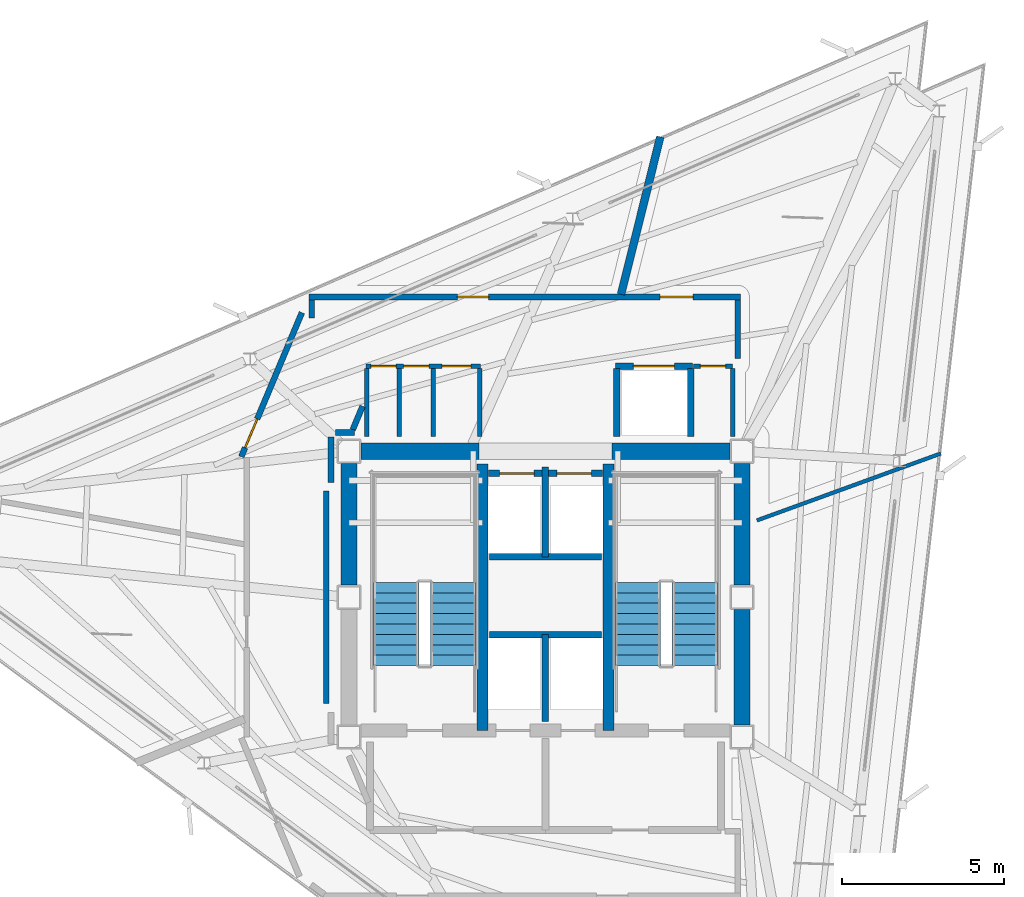
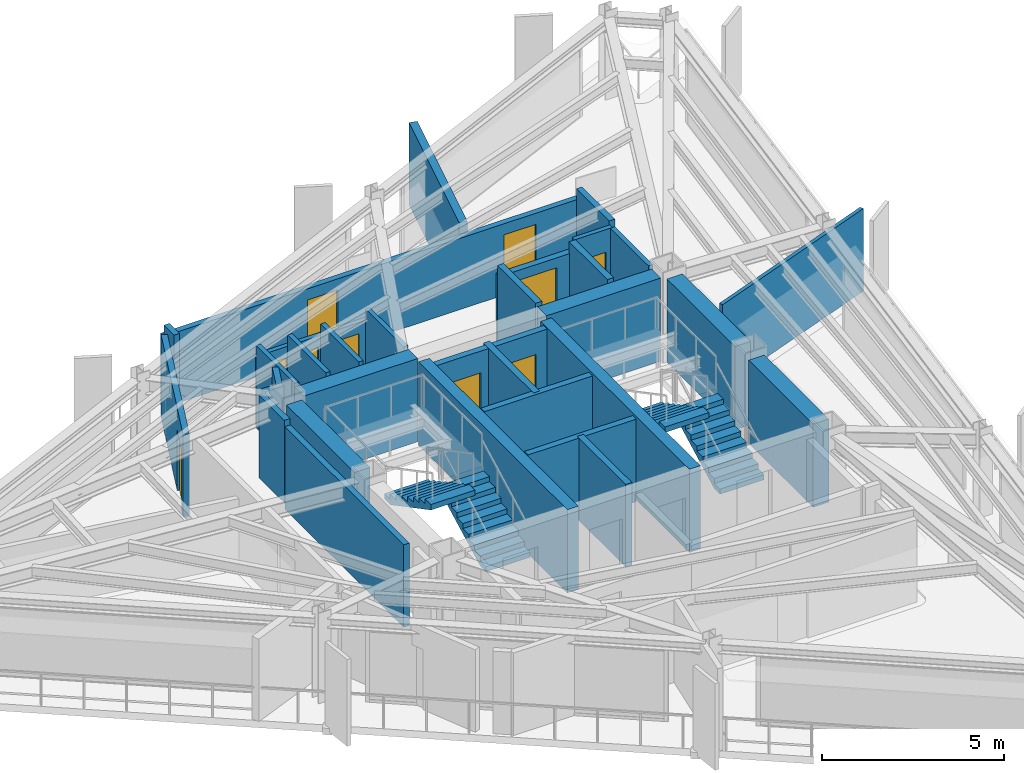
# One storey, part 6 of 10: 32 walls, 10 doors, 4 stair flights, 10 openings, 2 elements without a shape of their own.
"""IFC4 building model written with IfcOpenShell, lengths in metres."""

from ifc_helpers import new_model, si_unit, direction, frame, frame_2d, origin, place, context, subcontext, project, spatial, polyline, rectangle, outline, extrude, material, layer, layer_set, type_object, element, fill, aggregate, save


model = new_model("IFC4")

# Units and contexts
model_context = context("Model", 3, precision=1e-05, world=origin(), true_north=direction((0.0, 1.0)))
body_context = subcontext(model_context, "Body", "Model", "MODEL_VIEW")
ifc_project = project(units=[si_unit("LENGTHUNIT", "METRE"), si_unit("AREAUNIT", "SQUARE_METRE"), si_unit("VOLUMEUNIT", "CUBIC_METRE"), si_unit("PLANEANGLEUNIT", "RADIAN"), si_unit("MASSUNIT", "GRAM", prefix="KILO")], contexts=[model_context])

# Site, building, storey
site_placement = place(None, origin())
site = spatial("IfcSite", under=ifc_project, at=site_placement, CompositionType="ELEMENT")
building_placement = place(site_placement, origin())
building = spatial("IfcBuilding", under=site, at=building_placement, Name="Rocaltana Carrier Exchange", CompositionType="ELEMENT")
storey_placement = place(building_placement, frame((0.0, 0.0, 220.9599609375)))
storey = spatial("IfcBuildingStorey", under=building, at=storey_placement, Name="L70", CompositionType="ELEMENT", Elevation=220.9599609375)

# Walls
ifc_material_1 = material(Name="Concrete C50/60", Category="concrete")
ifc_layer_1 = layer(ifc_material_1, 0.35009765625)
ifc_layer_set_1 = layer_set([ifc_layer_1], Name="Concrete C50/60")
wall_type_1 = type_object("IfcWallType", Name="Core Internal Shear Wall 350", PredefinedType="SHEAR", material=ifc_layer_set_1)
for number, where, z_axis, x_axis, name in (
    (1, (-1.93994140625, -4.10009765625, 0.0), (0.0, 0.0, 1.0), (0.0, 1.0, 0.0), "L70 Core Shear Wall CW-STW"),
    (2, (1.93994140625, -4.10009765625, 0.0), (0.0, 0.0, 1.0), (0.0, 1.0, 0.0), "L70 Core Shear Wall CW-STE"),
):
    element("IfcWall", number, at=place(storey_placement, frame(where, z_axis=z_axis, x_axis=x_axis)), inside=storey, type_object=wall_type_1, Name=name, PredefinedType="SHEAR", context=body_context, shape_type="SweptSolid", body=[
        extrude(rectangle(XDim=8.2001953125, YDim=0.35009765625, at=frame_2d((4.10009765625, 0.0))), origin(), (0.0, 0.0, 1.0), 2.798095703125),
    ])
ifc_material_2 = material(Name="Concrete C50/60", Category="concrete")
ifc_layer_2 = layer(ifc_material_2, 0.5)
ifc_layer_set_2 = layer_set([ifc_layer_2], Name="Concrete C50/60")
wall_type_2 = type_object("IfcWallType", Name="Core Shear Wall 500", PredefinedType="SHEAR", material=ifc_layer_set_2)
for number, where, z_axis, x_axis, name in (
    (3, (-6.050048828125, 0.375, 0.0), (0.0, 0.0, 1.0), (0.0, 1.0, 0.0), "L70 Core Shear Wall CW-WN"),
    (4, (6.050048828125, 0.375, 0.0), (0.0, 0.0, 1.0), (0.0, 1.0, 0.0), "L70 Core Shear Wall CW-EN"),
):
    element("IfcWall", number, at=place(storey_placement, frame(where, z_axis=z_axis, x_axis=x_axis)), inside=storey, type_object=wall_type_2, Name=name, PredefinedType="SHEAR", context=body_context, shape_type="SweptSolid", body=[
        extrude(rectangle(XDim=3.75, YDim=0.5, at=frame_2d((1.875, 0.0))), origin(), (0.0, 0.0, 1.0), 2.798095703125),
    ])
wall_1_placement = place(storey_placement, frame((6.050048828125, -3.925048828125, 0.0), z_axis=(0.0, 0.0, 1.0), x_axis=(0.0, 1.0, 0.0)))
element("IfcWall", 5, at=wall_1_placement, inside=storey, type_object=wall_type_2, Name="L70 Core Shear Wall CW-ES", PredefinedType="SHEAR", context=body_context, shape_type="SweptSolid", body=[
    extrude(rectangle(XDim=3.550048828125, YDim=0.5, at=frame_2d((1.77490234375, 0.0))), origin(), (0.0, 0.0, 1.0), 2.798095703125),
])
for number, where, z_axis, x_axis, name in (
    (6, (-5.675048828125, 4.5, 0.0), (0.0, 0.0, 1.0), (1.0, 0.0, 0.0), "L70 Core Shear Wall CW-N1"),
    (7, (2.050048828125, 4.5, 0.0), (0.0, 0.0, 1.0), (1.0, 0.0, 0.0), "L70 Core Shear Wall CW-N2"),
):
    element("IfcWall", number, at=place(storey_placement, frame(where, z_axis=z_axis, x_axis=x_axis)), inside=storey, type_object=wall_type_2, Name=name, PredefinedType="SHEAR", context=body_context, shape_type="SweptSolid", body=[
        extrude(rectangle(XDim=3.625, YDim=0.5, at=frame_2d((1.8125, 0.0))), origin(), (0.0, 0.0, 1.0), 2.798095703125),
    ])

# Wall, opening, door
ifc_material_3 = material(Name="Gypsum & Steel Stud Partition", Category="steel")
ifc_layer_3 = layer(ifc_material_3, 0.179931640625)
ifc_layer_set_3 = layer_set([ifc_layer_3], Name="Gypsum & Steel Stud Partition")
wall_type_3 = type_object("IfcWallType", Name="Corridor Fire Partition 180 EI60", PredefinedType="PARTITIONING", material=ifc_layer_set_3)
wall_2_placement = place(storey_placement, frame((-9.36669921875, 4.331787109375, 0.0), z_axis=(0.0, 0.0, 1.0), x_axis=(0.387573945081, 0.921838617706, 0.0)))
wall_2 = element("IfcWall", 8, at=wall_2_placement, inside=storey, type_object=wall_type_3, Name="L70 Corridor Partition 3", PredefinedType="PARTITIONING", context=body_context, shape_type="SweptSolid", body=[
    extrude(rectangle(XDim=4.813232421875, YDim=0.179931640625, at=frame_2d((2.40673828125, 0.0))), origin(), (0.0, 0.0, 1.0), 2.77294921875),
])
opening_1_placement = place(wall_2_placement, frame((0.302490234375, 0.0, 0.0)))
opening_1 = element("IfcOpeningElement", 9, at=opening_1_placement, cuts=wall_2, Name="Opening D-RM098", PredefinedType="OPENING", context=body_context, shape_type="SweptSolid", body=[
    extrude(rectangle(XDim=0.9599609375, YDim=2.02001953125, at=frame_2d((0.47998046875, 1.010009765625))), frame((0.0, 0.099853515625, 0.0), z_axis=(0.0, -1.0, 0.0), x_axis=(1.0, 0.0, 0.0)), (0.0, 0.0, 1.0), 0.199951171875),
])
ifc_material_4 = material(Name="Engineered Hardwood Timber", Category="wood")
door_type_1 = type_object("IfcDoorType", Name="Workspace Single Door 960x2020", OperationType="NOTDEFINED", PredefinedType="DOOR", material=ifc_material_4)
door_1_placement = place(opening_1_placement, origin())
door_1 = element("IfcDoor", 10, at=door_1_placement, inside=storey, type_object=door_type_1, Name="L70 Quiet Focus Lounge Entrance Door", OperationType="SINGLE_SWING_LEFT", OverallHeight=2.02001953125, OverallWidth=0.9599609375, PredefinedType="DOOR", context=body_context, shape_type="SweptSolid", body=[
    extrude(rectangle(XDim=0.9599609375, YDim=2.02001953125, at=frame_2d((0.47998046875, 1.010009765625))), frame((0.0, 0.02490234375, 0.0), z_axis=(0.0, -1.0, 0.0), x_axis=(1.0, 0.0, 0.0)), (0.0, 0.0, 1.0), 0.050048828125),
])
fill(opening_1, door_1)

# Wall
wall_3_placement = place(storey_placement, frame((-7.199951171875, 8.6005859375, 0.0), z_axis=(0.0, 0.0, 1.0), x_axis=(0.0, 1.0, 0.0)))
element("IfcWall", 11, at=wall_3_placement, inside=storey, type_object=wall_type_3, Name="L70 Corridor Partition 4", PredefinedType="PARTITIONING", context=body_context, shape_type="SweptSolid", body=[
    extrude(rectangle(XDim=0.559326171875, YDim=0.179931640625, at=frame_2d((0.27978515625, 0.0))), origin(), (0.0, 0.0, 1.0), 2.77294921875),
])

# Wall, openings, doors
wall_4_placement = place(storey_placement, frame((-7.2900390625, 9.25, 0.0), z_axis=(0.0, 0.0, 1.0), x_axis=(1.0, 0.0, 0.0)))
wall_4 = element("IfcWall", 12, at=wall_4_placement, inside=storey, type_object=wall_type_3, Name="L70 Corridor Partition 5", PredefinedType="PARTITIONING", context=body_context, shape_type="SweptSolid", body=[
    extrude(rectangle(XDim=13.300048828125, YDim=0.179931640625, at=frame_2d((6.64990234375, 0.0))), origin(), (0.0, 0.0, 1.0), 2.39501953125),
])
opening_2_placement = place(wall_4_placement, frame((10.819091796875, 0.0, 0.0)))
opening_2 = element("IfcOpeningElement", 13, at=opening_2_placement, cuts=wall_4, Name="Opening D-LB104", PredefinedType="OPENING", context=body_context, shape_type="SweptSolid", body=[
    extrude(rectangle(XDim=1.02001953125, YDim=2.02001953125, at=frame_2d((0.510009765625, 1.010009765625))), frame((0.0, 0.099853515625, 0.0), z_axis=(0.0, -1.0, 0.0), x_axis=(1.0, 0.0, 0.0)), (0.0, 0.0, 1.0), 0.199951171875),
])
opening_3_placement = place(wall_4_placement, frame((4.5751953125, 0.0, 0.0)))
opening_3 = element("IfcOpeningElement", 14, at=opening_3_placement, cuts=wall_4, Name="Opening D-RM098", PredefinedType="OPENING", context=body_context, shape_type="SweptSolid", body=[
    extrude(rectangle(XDim=0.9599609375, YDim=2.02001953125, at=frame_2d((0.47998046875, 1.010009765625))), frame((0.0, 0.099853515625, 0.0), z_axis=(0.0, -1.0, 0.0), x_axis=(1.0, 0.0, 0.0)), (0.0, 0.0, 1.0), 0.199951171875),
])
ifc_material_5 = material(Name="Powder-Coated Aluminium 6063-T6", Category="aluminium")
door_type_2 = type_object("IfcDoorType", Name="Laboratory Acoustic Door 1020x2020", OperationType="NOTDEFINED", PredefinedType="DOOR", material=ifc_material_5)
door_2_placement = place(opening_2_placement, origin())
door_2 = element("IfcDoor", 15, at=door_2_placement, inside=storey, type_object=door_type_2, Name="L70 Protocol Calibration Laboratory Entrance Door", OperationType="SINGLE_SWING_LEFT", OverallHeight=2.02001953125, OverallWidth=1.02001953125, PredefinedType="DOOR", context=body_context, shape_type="SweptSolid", body=[
    extrude(rectangle(XDim=1.02001953125, YDim=2.02001953125, at=frame_2d((0.510009765625, 1.010009765625))), frame((0.0, 0.02490234375, 0.0), z_axis=(0.0, -1.0, 0.0), x_axis=(1.0, 0.0, 0.0)), (0.0, 0.0, 1.0), 0.050048828125),
])
fill(opening_2, door_2)
door_3_placement = place(opening_3_placement, origin())
door_3 = element("IfcDoor", 16, at=door_3_placement, inside=storey, type_object=door_type_1, Name="L70 Network Engineering Studio Entrance Door", OperationType="SINGLE_SWING_RIGHT", OverallHeight=2.02001953125, OverallWidth=0.9599609375, PredefinedType="DOOR", context=body_context, shape_type="SweptSolid", body=[
    extrude(rectangle(XDim=0.9599609375, YDim=2.02001953125, at=frame_2d((0.47998046875, 1.010009765625))), frame((0.0, 0.02490234375, 0.0), z_axis=(0.0, -1.0, 0.0), x_axis=(1.0, 0.0, 0.0)), (0.0, 0.0, 1.0), 0.050048828125),
])
fill(opening_3, door_3)

# Walls
wall_5_placement = place(storey_placement, frame((5.919921875, 9.159912109375, 0.0), z_axis=(0.0, 0.0, 1.0), x_axis=(0.0, -1.0, 0.0)))
element("IfcWall", 17, at=wall_5_placement, inside=storey, type_object=wall_type_3, Name="L70 Corridor Partition 6", PredefinedType="PARTITIONING", context=body_context, shape_type="SweptSolid", body=[
    extrude(rectangle(XDim=1.7998046875, YDim=0.179931640625, at=frame_2d((0.89990234375, 0.0))), origin(), (0.0, 0.0, 1.0), 2.77294921875),
])
wall_6_placement = place(storey_placement, frame((-5.632080078125, 5.88671875, 0.0), z_axis=(0.0, 0.0, 1.0), x_axis=(-0.387792833522, -0.921746558588, 0.0)))
element("IfcWall", 18, at=wall_6_placement, inside=storey, type_object=wall_type_3, Name="L70 Corridor Partition 8", PredefinedType="PARTITIONING", context=body_context, shape_type="SweptSolid", body=[
    extrude(rectangle(XDim=0.78515625, YDim=0.179931640625, at=frame_2d((0.392578125, 0.0))), origin(), (0.0, 0.0, 1.0), 2.77294921875),
])
wall_7_placement = place(storey_placement, frame((-5.88134765625, 5.080078125, 0.0), z_axis=(0.0, 0.0, 1.0), x_axis=(-1.0, 0.0, 0.0)))
element("IfcWall", 19, at=wall_7_placement, inside=storey, type_object=wall_type_3, Name="L70 Corridor Partition 9", PredefinedType="PARTITIONING", context=body_context, shape_type="SweptSolid", body=[
    extrude(rectangle(XDim=0.588623046875, YDim=0.179931640625, at=frame_2d((0.29443359375, 0.0))), origin(), (0.0, 0.0, 1.0), 2.77294921875),
])
wall_8_placement = place(storey_placement, frame((-6.610107421875, 4.93994140625, 0.0), z_axis=(0.0, 0.0, 1.0), x_axis=(0.0, -1.0, 0.0)))
element("IfcWall", 20, at=wall_8_placement, inside=storey, type_object=wall_type_3, Name="L70 Corridor Partition 10", PredefinedType="PARTITIONING", context=body_context, shape_type="SweptSolid", body=[
    extrude(rectangle(XDim=1.398681640625, YDim=0.179931640625, at=frame_2d((0.69921875, 0.0))), origin(), (0.0, 0.0, 1.0), 2.77294921875),
])
wall_9_placement = place(storey_placement, frame((-6.75, 3.2734375, 0.0), z_axis=(0.0, 0.0, 1.0), x_axis=(0.0, -1.0, 0.0)))
element("IfcWall", 21, at=wall_9_placement, inside=storey, type_object=wall_type_3, Name="L70 Corridor Partition 11", PredefinedType="PARTITIONING", context=body_context, shape_type="SweptSolid", body=[
    extrude(rectangle(XDim=6.546875, YDim=0.179931640625, at=frame_2d((3.2734375, 0.0))), origin(), (0.0, 0.0, 1.0), 2.77294921875),
])
ifc_material_6 = material(Name="Aluminium 6063-T6 & Acoustic Glass", Category="aluminium")
ifc_layer_4 = layer(ifc_material_6, 0.114990234375)
ifc_layer_set_4 = layer_set([ifc_layer_4], Name="Aluminium 6063-T6 & Acoustic Glass")
wall_type_4 = type_object("IfcWallType", Name="Demountable Glazed Lab Partition 115", PredefinedType="MOVABLE", material=ifc_layer_set_4)
wall_10_placement = place(storey_placement, frame((6.510009765625, 2.369384765625, 0.0), z_axis=(0.0, 0.0, 1.0), x_axis=(0.939690503952, 0.342025959222, 0.0)))
element("IfcWall", 22, at=wall_10_placement, inside=storey, type_object=wall_type_4, Name="L70 Suite Divider Wall D3", PredefinedType="MOVABLE", context=body_context, shape_type="SweptSolid", body=[
    extrude(rectangle(XDim=6.028076171875, YDim=0.114990234375, at=frame_2d((3.01416015625, 0.0))), origin(), (0.0, 0.0, 1.0), 2.77294921875),
])
ifc_material_7 = material(Name="Acoustic Calcium Silicate Partition", Category="gypsum")
ifc_layer_5 = layer(ifc_material_7, 0.239990234375)
ifc_layer_set_5 = layer_set([ifc_layer_5], Name="Acoustic Calcium Silicate Partition")
wall_type_5 = type_object("IfcWallType", Name="Heavy Lab Partition 240 EI90", PredefinedType="PARTITIONING", material=ifc_layer_set_5)
wall_11_placement = place(storey_placement, frame((2.326171875, 9.330078125, 0.0), z_axis=(0.0, 0.0, 1.0), x_axis=(0.24192658113, 0.97029455803, 0.0)))
element("IfcWall", 23, at=wall_11_placement, inside=storey, type_object=wall_type_5, Name="L70 Suite Divider Wall D4", PredefinedType="PARTITIONING", context=body_context, shape_type="SweptSolid", body=[
    extrude(rectangle(XDim=4.999267578125, YDim=0.239990234375, at=frame_2d((2.49951171875, 0.0))), origin(), (0.0, 0.0, 1.0), 2.77294921875),
])
ifc_material_8 = material(Name="Reinforced Concrete Block C35/45", Category="concrete")
ifc_layer_6 = layer(ifc_material_8, 0.199951171875)
ifc_layer_set_6 = layer_set([ifc_layer_6], Name="Reinforced Concrete Block C35/45")
wall_type_6 = type_object("IfcWallType", Name="Lift Hoistway Enclosure Wall 200 EI120", PredefinedType="PARTITIONING", material=ifc_layer_set_6)
wall_12_placement = place(storey_placement, frame((0.0, -3.820068359375, 0.0), z_axis=(0.0, 0.0, 1.0), x_axis=(0.0, 1.0, 0.0)))
element("IfcWall", 24, at=wall_12_placement, inside=storey, type_object=wall_type_6, Name="L70 FFL Shaft Divider", PredefinedType="PARTITIONING", context=body_context, shape_type="SweptSolid", body=[
    extrude(rectangle(XDim=2.670166015625, YDim=0.199951171875, at=frame_2d((1.3349609375, 0.0))), origin(), (0.0, 0.0, 1.0), 2.77294921875),
])
wall_13_placement = place(storey_placement, frame((-1.719970703125, -1.14990234375, 0.0), z_axis=(0.0, 0.0, 1.0), x_axis=(1.0, 0.0, 0.0)))
element("IfcWall", 25, at=wall_13_placement, inside=storey, type_object=wall_type_6, Name="L70 FFL Shaft Back Wall", PredefinedType="PARTITIONING", context=body_context, shape_type="SweptSolid", body=[
    extrude(rectangle(XDim=3.43994140625, YDim=0.199951171875, at=frame_2d((1.719970703125, 0.0))), origin(), (0.0, 0.0, 1.0), 2.77294921875),
])
wall_14_placement = place(storey_placement, frame((0.0, 1.25, 0.0), z_axis=(0.0, 0.0, 1.0), x_axis=(0.0, 1.0, 0.0)))
element("IfcWall", 26, at=wall_14_placement, inside=storey, type_object=wall_type_6, Name="L70 High-Rise Shaft Divider", PredefinedType="PARTITIONING", context=body_context, shape_type="SweptSolid", body=[
    extrude(rectangle(XDim=2.77001953125, YDim=0.199951171875, at=frame_2d((1.385009765625, 0.0))), origin(), (0.0, 0.0, 1.0), 2.77294921875),
])
wall_15_placement = place(storey_placement, frame((-1.719970703125, 1.25, 0.0), z_axis=(0.0, 0.0, 1.0), x_axis=(1.0, 0.0, 0.0)))
element("IfcWall", 27, at=wall_15_placement, inside=storey, type_object=wall_type_6, Name="L70 High-Rise Shaft Back Wall", PredefinedType="PARTITIONING", context=body_context, shape_type="SweptSolid", body=[
    extrude(rectangle(XDim=3.43994140625, YDim=0.199951171875, at=frame_2d((1.719970703125, 0.0))), origin(), (0.0, 0.0, 1.0), 2.77294921875),
])

# Wall, openings, doors
wall_16_placement = place(storey_placement, frame((-1.760009765625, 3.820068359375, 0.0), z_axis=(0.0, 0.0, 1.0), x_axis=(1.0, 0.0, 0.0)))
wall_16 = element("IfcWall", 28, at=wall_16_placement, inside=storey, type_object=wall_type_6, Name="L70 High-Rise Lift Front Wall", PredefinedType="PARTITIONING", context=body_context, shape_type="SweptSolid", body=[
    extrude(rectangle(XDim=3.52001953125, YDim=0.199951171875, at=frame_2d((1.760009765625, 0.0))), origin(), (0.0, 0.0, 1.0), 2.77294921875),
])
opening_4_placement = place(wall_16_placement, frame((0.35009765625, 0.0, 0.0)))
opening_4 = element("IfcOpeningElement", 29, at=opening_4_placement, cuts=wall_16, Name="Opening LD-110", PredefinedType="OPENING", context=body_context, shape_type="SweptSolid", body=[
    extrude(rectangle(XDim=1.06005859375, YDim=2.0400390625, at=frame_2d((0.530029296875, 1.02001953125))), frame((0.0, 0.10986328125, 0.0), z_axis=(0.0, -1.0, 0.0), x_axis=(1.0, 0.0, 0.0)), (0.0, 0.0, 1.0), 0.219970703125),
])
opening_5_placement = place(wall_16_placement, frame((2.110107421875, 0.0, 0.0)))
opening_5 = element("IfcOpeningElement", 30, at=opening_5_placement, cuts=wall_16, Name="Opening LD-110", PredefinedType="OPENING", context=body_context, shape_type="SweptSolid", body=[
    extrude(rectangle(XDim=1.06005859375, YDim=2.0400390625, at=frame_2d((0.530029296875, 1.02001953125))), frame((0.0, 0.10986328125, 0.0), z_axis=(0.0, -1.0, 0.0), x_axis=(1.0, 0.0, 0.0)), (0.0, 0.0, 1.0), 0.219970703125),
])
ifc_material_9 = material(Name="Brushed Stainless Sliding Door Leaf", Category="steel")
door_type_3 = type_object("IfcDoorType", Name="Lift Landing Sliding Door 1060x2040", OperationType="NOTDEFINED", PredefinedType="DOOR", material=ifc_material_9)
door_4_placement = place(opening_4_placement, origin())
door_4 = element("IfcDoor", 31, at=door_4_placement, inside=storey, type_object=door_type_3, Name="L70 High-Rise Lift PLH1 Landing Door", OperationType="SLIDING_TO_LEFT", OverallHeight=2.0400390625, OverallWidth=1.06005859375, PredefinedType="DOOR", context=body_context, shape_type="SweptSolid", body=[
    extrude(rectangle(XDim=1.06005859375, YDim=2.0400390625, at=frame_2d((0.530029296875, 1.02001953125))), frame((0.0, 0.02490234375, 0.0), z_axis=(0.0, -1.0, 0.0), x_axis=(1.0, 0.0, 0.0)), (0.0, 0.0, 1.0), 0.050048828125),
])
fill(opening_4, door_4)
door_5_placement = place(opening_5_placement, origin())
door_5 = element("IfcDoor", 32, at=door_5_placement, inside=storey, type_object=door_type_3, Name="L70 High-Rise Lift PLH2 Landing Door", OperationType="SLIDING_TO_RIGHT", OverallHeight=2.0400390625, OverallWidth=1.06005859375, PredefinedType="DOOR", context=body_context, shape_type="SweptSolid", body=[
    extrude(rectangle(XDim=1.06005859375, YDim=2.0400390625, at=frame_2d((0.530029296875, 1.02001953125))), frame((0.0, 0.02490234375, 0.0), z_axis=(0.0, -1.0, 0.0), x_axis=(1.0, 0.0, 0.0)), (0.0, 0.0, 1.0), 0.050048828125),
])
fill(opening_5, door_5)

# Walls
for number, where, z_axis, x_axis, name in (
    (33, (2.199951171875, 4.949951171875, 0.0), (0.0, 0.0, 1.0), (0.0, 1.0, 0.0), "L70 Goods Lift West Wall"),
    (34, (4.47998046875, 4.949951171875, 0.0), (0.0, 0.0, 1.0), (0.0, 1.0, 0.0), "L70 Goods Lift East Wall"),
):
    element("IfcWall", number, at=place(storey_placement, frame(where, z_axis=z_axis, x_axis=x_axis)), inside=storey, type_object=wall_type_6, Name=name, PredefinedType="PARTITIONING", context=body_context, shape_type="SweptSolid", body=[
        extrude(rectangle(XDim=2.10009765625, YDim=0.199951171875, at=frame_2d((1.050048828125, 0.0))), origin(), (0.0, 0.0, 1.0), 2.77294921875),
    ])

# Wall, opening, door
wall_17_placement = place(storey_placement, frame((2.14990234375, 7.1201171875, 0.0), z_axis=(0.0, 0.0, 1.0), x_axis=(1.0, 0.0, 0.0)))
wall_17 = element("IfcWall", 35, at=wall_17_placement, inside=storey, type_object=wall_type_6, Name="L70 Goods Lift Front Wall", PredefinedType="PARTITIONING", context=body_context, shape_type="SweptSolid", body=[
    extrude(rectangle(XDim=2.380126953125, YDim=0.199951171875, at=frame_2d((1.18994140625, 0.0))), origin(), (0.0, 0.0, 1.0), 2.39501953125),
])
opening_6_placement = place(wall_17_placement, frame((0.56005859375, 0.0, 0.0)))
opening_6 = element("IfcOpeningElement", 36, at=opening_6_placement, cuts=wall_17, Name="Opening LD-130", PredefinedType="OPENING", context=body_context, shape_type="SweptSolid", body=[
    extrude(rectangle(XDim=1.260009765625, YDim=2.06005859375, at=frame_2d((0.6298828125, 1.030029296875))), frame((0.0, 0.10986328125, 0.0), z_axis=(0.0, -1.0, 0.0), x_axis=(1.0, 0.0, 0.0)), (0.0, 0.0, 1.0), 0.219970703125),
])
ifc_material_10 = material(Name="Brushed Stainless Sliding Door Leaf", Category="steel")
door_type_4 = type_object("IfcDoorType", Name="Goods Lift Landing Sliding Door 1260x2060", OperationType="NOTDEFINED", PredefinedType="DOOR", material=ifc_material_10)
door_6_placement = place(opening_6_placement, origin())
door_6 = element("IfcDoor", 37, at=door_6_placement, inside=storey, type_object=door_type_4, Name="L70 Goods Lift GL-1 Landing Door", OperationType="SLIDING_TO_LEFT", OverallHeight=2.06005859375, OverallWidth=1.260009765625, PredefinedType="DOOR", context=body_context, shape_type="SweptSolid", body=[
    extrude(rectangle(XDim=1.260009765625, YDim=2.06005859375, at=frame_2d((0.6298828125, 1.030029296875))), frame((0.0, 0.02490234375, 0.0), z_axis=(0.0, -1.0, 0.0), x_axis=(1.0, 0.0, 0.0)), (0.0, 0.0, 1.0), 0.050048828125),
])
fill(opening_6, door_6)

# Walls
ifc_material_11 = material(Name="Moisture-Resistant Masonry C30/37", Category="masonry")
ifc_layer_7 = layer(ifc_material_11, 0.139892578125)
ifc_layer_set_7 = layer_set([ifc_layer_7], Name="Moisture-Resistant Masonry C30/37")
wall_type_7 = type_object("IfcWallType", Name="Wet-Area Sanitary Partition 140", PredefinedType="PARTITIONING", material=ifc_layer_set_7)
for number, where, z_axis, x_axis, name in (
    (38, (-5.5, 4.949951171875, 0.0), (0.0, 0.0, 1.0), (0.0, 1.0, 0.0), "L70 Sanitary West Wall"),
    (39, (-4.5, 4.949951171875, 0.0), (0.0, 0.0, 1.0), (0.0, 1.0, 0.0), "L70 Sanitary Divider 1"),
    (40, (-3.449951171875, 4.949951171875, 0.0), (0.0, 0.0, 1.0), (0.0, 1.0, 0.0), "L70 Sanitary Divider 2"),
    (41, (-2.02001953125, 4.949951171875, 0.0), (0.0, 0.0, 1.0), (0.0, 1.0, 0.0), "L70 Sanitary East Wall"),
):
    element("IfcWall", number, at=place(storey_placement, frame(where, z_axis=z_axis, x_axis=x_axis)), inside=storey, type_object=wall_type_7, Name=name, PredefinedType="PARTITIONING", context=body_context, shape_type="SweptSolid", body=[
        extrude(rectangle(XDim=2.10009765625, YDim=0.139892578125, at=frame_2d((1.050048828125, 0.0))), origin(), (0.0, 0.0, 1.0), 2.77294921875),
    ])

# Wall, openings, doors
wall_18_placement = place(storey_placement, frame((-5.52001953125, 7.1201171875, 0.0), z_axis=(0.0, 0.0, 1.0), x_axis=(1.0, 0.0, 0.0)))
wall_18 = element("IfcWall", 42, at=wall_18_placement, inside=storey, type_object=wall_type_7, Name="L70 Sanitary North Wall", PredefinedType="PARTITIONING", context=body_context, shape_type="SweptSolid", body=[
    extrude(rectangle(XDim=3.52001953125, YDim=0.139892578125, at=frame_2d((1.760009765625, 0.0))), origin(), (0.0, 0.0, 1.0), 2.39501953125),
])
opening_7_placement = place(wall_18_placement, frame((0.139892578125, 0.0, 0.0)))
opening_7 = element("IfcOpeningElement", 43, at=opening_7_placement, cuts=wall_18, Name="Opening D-RS082", PredefinedType="OPENING", context=body_context, shape_type="SweptSolid", body=[
    extrude(rectangle(XDim=0.780029296875, YDim=2.010009765625, at=frame_2d((0.39013671875, 1.0048828125))), frame((0.0, 0.079833984375, 0.0), z_axis=(0.0, -1.0, 0.0), x_axis=(1.0, 0.0, 0.0)), (0.0, 0.0, 1.0), 0.159912109375),
])
opening_8_placement = place(wall_18_placement, frame((1.14990234375, 0.0, 0.0)))
opening_8 = element("IfcOpeningElement", 44, at=opening_8_placement, cuts=wall_18, Name="Opening D-RS082", PredefinedType="OPENING", context=body_context, shape_type="SweptSolid", body=[
    extrude(rectangle(XDim=0.780029296875, YDim=2.010009765625, at=frame_2d((0.39013671875, 1.0048828125))), frame((0.0, 0.079833984375, 0.0), z_axis=(0.0, -1.0, 0.0), x_axis=(1.0, 0.0, 0.0)), (0.0, 0.0, 1.0), 0.159912109375),
])
opening_9_placement = place(wall_18_placement, frame((2.340087890625, 0.0, 0.0)))
opening_9 = element("IfcOpeningElement", 45, at=opening_9_placement, cuts=wall_18, Name="Opening D-WC090", PredefinedType="OPENING", context=body_context, shape_type="SweptSolid", body=[
    extrude(rectangle(XDim=0.8798828125, YDim=2.02001953125, at=frame_2d((0.43994140625, 1.010009765625))), frame((0.0, 0.079833984375, 0.0), z_axis=(0.0, -1.0, 0.0), x_axis=(1.0, 0.0, 0.0)), (0.0, 0.0, 1.0), 0.159912109375),
])
ifc_material_12 = material(Name="High-Pressure Laminate Timber", Category="wood")
door_type_5 = type_object("IfcDoorType", Name="Restroom & Accessible WC Door 880x2020", OperationType="NOTDEFINED", PredefinedType="DOOR", material=ifc_material_12)
door_7_placement = place(opening_9_placement, origin())
door_7 = element("IfcDoor", 46, at=door_7_placement, inside=storey, type_object=door_type_5, Name="L70 Accessible Toilet Door", OperationType="SINGLE_SWING_LEFT", OverallHeight=2.02001953125, OverallWidth=0.8798828125, PredefinedType="DOOR", context=body_context, shape_type="SweptSolid", body=[
    extrude(rectangle(XDim=0.8798828125, YDim=2.02001953125, at=frame_2d((0.43994140625, 1.010009765625))), frame((0.0, 0.02490234375, 0.0), z_axis=(0.0, -1.0, 0.0), x_axis=(1.0, 0.0, 0.0)), (0.0, 0.0, 1.0), 0.050048828125),
])
fill(opening_9, door_7)
ifc_material_13 = material(Name="Hollow Metal Access Door Leaf", Category="steel")
door_type_6 = type_object("IfcDoorType", Name="Riser & Service Closet Door 780x2010", OperationType="NOTDEFINED", PredefinedType="DOOR", material=ifc_material_13)
door_8_placement = place(opening_7_placement, origin())
door_8 = element("IfcDoor", 47, at=door_8_placement, inside=storey, type_object=door_type_6, Name="L70 Cleaner Store Door", OperationType="SINGLE_SWING_LEFT", OverallHeight=2.010009765625, OverallWidth=0.780029296875, PredefinedType="DOOR", context=body_context, shape_type="SweptSolid", body=[
    extrude(rectangle(XDim=0.780029296875, YDim=2.010009765625, at=frame_2d((0.39013671875, 1.0048828125))), frame((0.0, 0.02490234375, 0.0), z_axis=(0.0, -1.0, 0.0), x_axis=(1.0, 0.0, 0.0)), (0.0, 0.0, 1.0), 0.050048828125),
])
fill(opening_7, door_8)
door_9_placement = place(opening_8_placement, origin())
door_9 = element("IfcDoor", 48, at=door_9_placement, inside=storey, type_object=door_type_6, Name="L70 Staff Restroom Door", OperationType="SINGLE_SWING_RIGHT", OverallHeight=2.010009765625, OverallWidth=0.780029296875, PredefinedType="DOOR", context=body_context, shape_type="SweptSolid", body=[
    extrude(rectangle(XDim=0.780029296875, YDim=2.010009765625, at=frame_2d((0.39013671875, 1.0048828125))), frame((0.0, 0.02490234375, 0.0), z_axis=(0.0, -1.0, 0.0), x_axis=(1.0, 0.0, 0.0)), (0.0, 0.0, 1.0), 0.050048828125),
])
fill(opening_8, door_9)

# Wall
wall_19_placement = place(storey_placement, frame((5.760009765625, 4.949951171875, 0.0), z_axis=(0.0, 0.0, 1.0), x_axis=(0.0, 1.0, 0.0)))
element("IfcWall", 49, at=wall_19_placement, inside=storey, type_object=wall_type_7, Name="L70 Riser East Wall", PredefinedType="PARTITIONING", context=body_context, shape_type="SweptSolid", body=[
    extrude(rectangle(XDim=2.10009765625, YDim=0.139892578125, at=frame_2d((1.050048828125, 0.0))), origin(), (0.0, 0.0, 1.0), 2.77294921875),
])

# Wall, opening, door
wall_20_placement = place(storey_placement, frame((4.56005859375, 7.1201171875, 0.0), z_axis=(0.0, 0.0, 1.0), x_axis=(1.0, 0.0, 0.0)))
wall_20 = element("IfcWall", 50, at=wall_20_placement, inside=storey, type_object=wall_type_7, Name="L70 Riser North Wall", PredefinedType="PARTITIONING", context=body_context, shape_type="SweptSolid", body=[
    extrude(rectangle(XDim=1.199951171875, YDim=0.139892578125, at=frame_2d((0.60009765625, 0.0))), origin(), (0.0, 0.0, 1.0), 2.77294921875),
])
opening_10_placement = place(wall_20_placement, frame((0.2099609375, 0.0, 0.0)))
opening_10 = element("IfcOpeningElement", 51, at=opening_10_placement, cuts=wall_20, Name="Opening D-RS082", PredefinedType="OPENING", context=body_context, shape_type="SweptSolid", body=[
    extrude(rectangle(XDim=0.780029296875, YDim=2.010009765625, at=frame_2d((0.39013671875, 1.0048828125))), frame((0.0, 0.079833984375, 0.0), z_axis=(0.0, -1.0, 0.0), x_axis=(1.0, 0.0, 0.0)), (0.0, 0.0, 1.0), 0.159912109375),
])
door_10_placement = place(opening_10_placement, origin())
door_10 = element("IfcDoor", 52, at=door_10_placement, inside=storey, type_object=door_type_6, Name="L70 Signal Riser Closet Door", OperationType="SINGLE_SWING_RIGHT", OverallHeight=2.010009765625, OverallWidth=0.780029296875, PredefinedType="DOOR", context=body_context, shape_type="SweptSolid", body=[
    extrude(rectangle(XDim=0.780029296875, YDim=2.010009765625, at=frame_2d((0.39013671875, 1.0048828125))), frame((0.0, 0.02490234375, 0.0), z_axis=(0.0, -1.0, 0.0), x_axis=(1.0, 0.0, 0.0)), (0.0, 0.0, 1.0), 0.050048828125),
])
fill(opening_10, door_10)

# Stair, stair flights
ifc_material_14 = material(Name="Precast concrete C45/55", Category="concrete")
stair_type = type_object("IfcStairType", Name="Standard Dog-Leg Stair 160", PredefinedType="HALF_TURN_STAIR", material=ifc_material_14)
stair_1_placement = place(storey_placement, origin())
stair_1 = element("IfcStair", 53, at=stair_1_placement, inside=storey, type_object=stair_type, Name="L70 Core West Exit Stair ST-1", PredefinedType="HALF_TURN_STAIR")
ifc_material_15 = material(Name="Precast concrete C45/55", Category="concrete")
stair_flight_type = type_object("IfcStairFlightType", Name="Precast Stair Flight 160", PredefinedType="STRAIGHT", material=ifc_material_15)
stair_flight_1_placement = place(storey_placement, frame((-2.840087890625, -2.10009765625, 0.0), z_axis=(0.0, 0.0, 1.0), x_axis=(0.0, 1.0, 0.0)))
stair_flight_1 = element("IfcStairFlight", 54, at=stair_flight_1_placement, type_object=stair_flight_type, Name="ST-1 flight 1", NumberOfRisers=9, NumberOfTreads=8, PredefinedType="STRAIGHT", RiserHeight=0.168888889, TreadLength=0.32, context=body_context, shape_type="SweptSolid", body=[
    extrude(outline(polyline([(0.0, 0.0), (0.0, 0.1689453125), (0.320068359375, 0.1689453125), (0.320068359375, 0.337890625), (0.639892578125, 0.337890625), (0.639892578125, 0.506591796875), (0.9599609375, 0.506591796875), (0.9599609375, 0.675537109375), (1.280029296875, 0.675537109375), (1.280029296875, 0.844482421875), (1.60009765625, 0.844482421875), (1.60009765625, 1.013427734375), (1.919921875, 1.013427734375), (1.919921875, 1.18212890625), (2.239990234375, 1.18212890625), (2.239990234375, 1.35107421875), (2.56005859375, 1.35107421875), (2.56005859375, 1.52001953125), (2.56005859375, 1.17041015625), (0.342529296875, 0.0), (0.0, 0.0)])), frame((0.0, 0.699951171875, 0.0), z_axis=(0.0, -1.0, 0.0), x_axis=(1.0, 0.0, 0.0)), (0.0, 0.0, 1.0), 1.39990234375),
])
stair_flight_2_placement = place(storey_placement, frame((-4.60009765625, 0.4599609375, 1.52001953125), z_axis=(0.0, 0.0, 1.0), x_axis=(0.0, -1.0, 0.0)))
stair_flight_2 = element("IfcStairFlight", 55, at=stair_flight_2_placement, type_object=stair_flight_type, Name="ST-1 flight 2", NumberOfRisers=9, NumberOfTreads=8, PredefinedType="STRAIGHT", RiserHeight=0.168888889, TreadLength=0.32, context=body_context, shape_type="SweptSolid", body=[
    extrude(outline(polyline([(0.0, 0.0), (0.0, 0.1689453125), (0.320068359375, 0.1689453125), (0.320068359375, 0.337890625), (0.639892578125, 0.337890625), (0.639892578125, 0.506591796875), (0.9599609375, 0.506591796875), (0.9599609375, 0.675537109375), (1.280029296875, 0.675537109375), (1.280029296875, 0.844482421875), (1.60009765625, 0.844482421875), (1.60009765625, 1.013427734375), (1.919921875, 1.013427734375), (1.919921875, 1.18212890625), (2.239990234375, 1.18212890625), (2.239990234375, 1.35107421875), (2.56005859375, 1.35107421875), (2.56005859375, 1.52001953125), (2.56005859375, 1.17041015625), (0.342529296875, 0.0), (0.0, 0.0)])), frame((0.0, 0.699951171875, 0.0), z_axis=(0.0, -1.0, 0.0), x_axis=(1.0, 0.0, 0.0)), (0.0, 0.0, 1.0), 1.39990234375),
])
aggregate(stair_1, [stair_flight_1, stair_flight_2])

stair_2_placement = place(storey_placement, origin())
stair_2 = element("IfcStair", 56, at=stair_2_placement, inside=storey, type_object=stair_type, Name="L70 Core East Exit Stair ST-2", PredefinedType="HALF_TURN_STAIR")
stair_flight_3_placement = place(storey_placement, frame((4.60009765625, -2.10009765625, 0.0), z_axis=(0.0, 0.0, 1.0), x_axis=(0.0, 1.0, 0.0)))
stair_flight_3 = element("IfcStairFlight", 57, at=stair_flight_3_placement, type_object=stair_flight_type, Name="ST-2 flight 1", NumberOfRisers=9, NumberOfTreads=8, PredefinedType="STRAIGHT", RiserHeight=0.168888889, TreadLength=0.32, context=body_context, shape_type="SweptSolid", body=[
    extrude(outline(polyline([(0.0, 0.0), (0.0, 0.1689453125), (0.320068359375, 0.1689453125), (0.320068359375, 0.337890625), (0.639892578125, 0.337890625), (0.639892578125, 0.506591796875), (0.9599609375, 0.506591796875), (0.9599609375, 0.675537109375), (1.280029296875, 0.675537109375), (1.280029296875, 0.844482421875), (1.60009765625, 0.844482421875), (1.60009765625, 1.013427734375), (1.919921875, 1.013427734375), (1.919921875, 1.18212890625), (2.239990234375, 1.18212890625), (2.239990234375, 1.35107421875), (2.56005859375, 1.35107421875), (2.56005859375, 1.52001953125), (2.56005859375, 1.17041015625), (0.342529296875, 0.0), (0.0, 0.0)])), frame((0.0, 0.699951171875, 0.0), z_axis=(0.0, -1.0, 0.0), x_axis=(1.0, 0.0, 0.0)), (0.0, 0.0, 1.0), 1.39990234375),
])
stair_flight_4_placement = place(storey_placement, frame((2.840087890625, 0.4599609375, 1.52001953125), z_axis=(0.0, 0.0, 1.0), x_axis=(0.0, -1.0, 0.0)))
stair_flight_4 = element("IfcStairFlight", 58, at=stair_flight_4_placement, type_object=stair_flight_type, Name="ST-2 flight 2", NumberOfRisers=9, NumberOfTreads=8, PredefinedType="STRAIGHT", RiserHeight=0.168888889, TreadLength=0.32, context=body_context, shape_type="SweptSolid", body=[
    extrude(outline(polyline([(0.0, 0.0), (0.0, 0.1689453125), (0.320068359375, 0.1689453125), (0.320068359375, 0.337890625), (0.639892578125, 0.337890625), (0.639892578125, 0.506591796875), (0.9599609375, 0.506591796875), (0.9599609375, 0.675537109375), (1.280029296875, 0.675537109375), (1.280029296875, 0.844482421875), (1.60009765625, 0.844482421875), (1.60009765625, 1.013427734375), (1.919921875, 1.013427734375), (1.919921875, 1.18212890625), (2.239990234375, 1.18212890625), (2.239990234375, 1.35107421875), (2.56005859375, 1.35107421875), (2.56005859375, 1.52001953125), (2.56005859375, 1.17041015625), (0.342529296875, 0.0), (0.0, 0.0)])), frame((0.0, 0.699951171875, 0.0), z_axis=(0.0, -1.0, 0.0), x_axis=(1.0, 0.0, 0.0)), (0.0, 0.0, 1.0), 1.39990234375),
])
aggregate(stair_2, [stair_flight_3, stair_flight_4])

save(model, "model.ifc")
